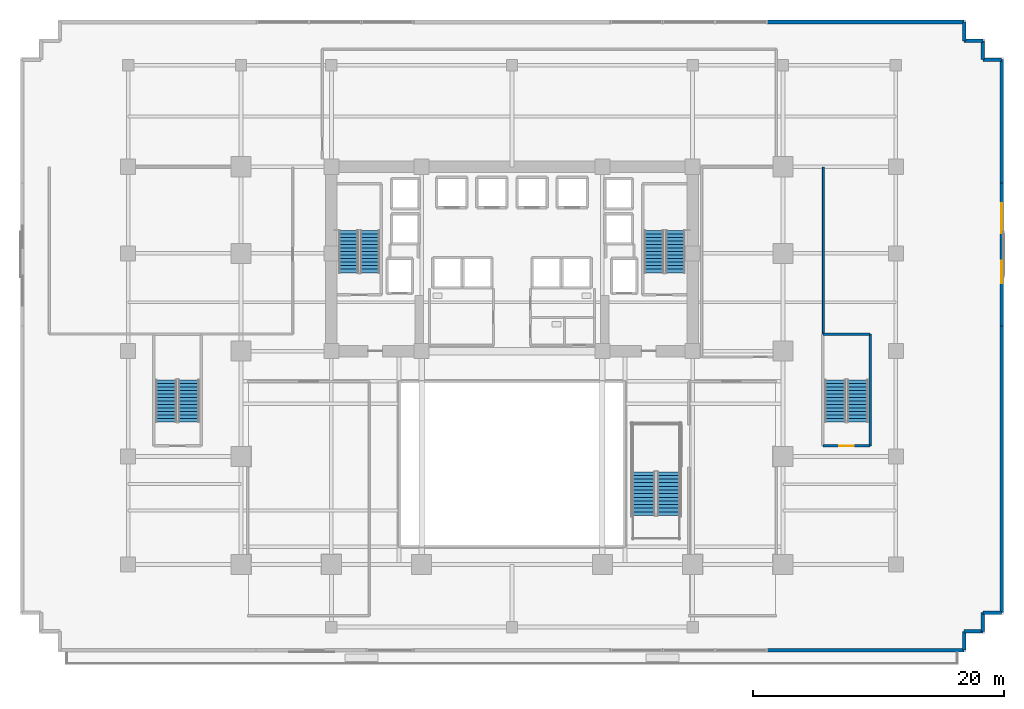
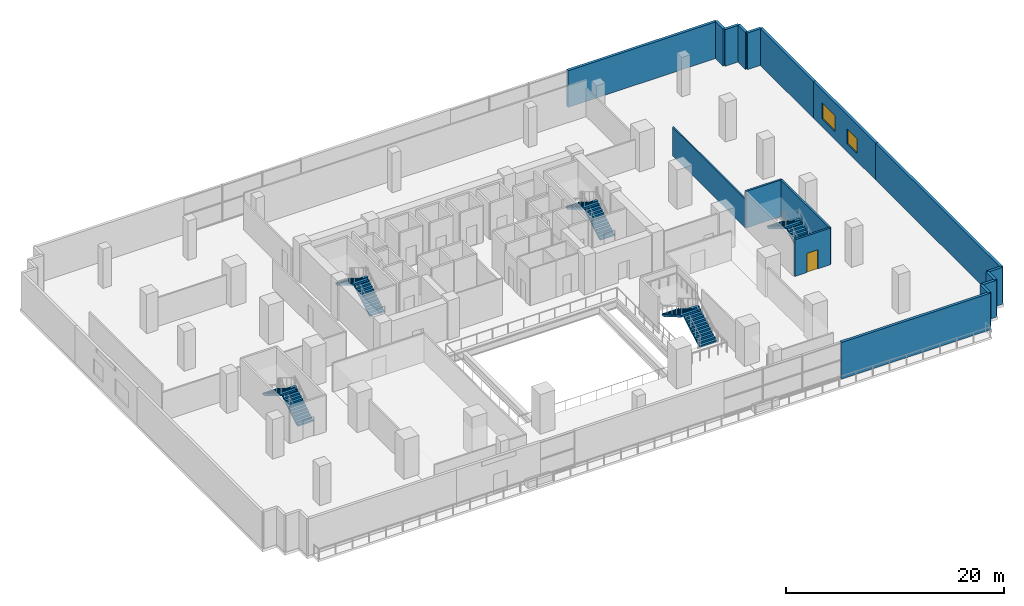
# One storey, part 15 of 21: 17 walls, 10 stair flights, 2 windows, 1 door, 3 openings, 5 elements without a shape of their own.
"""IFC4 building model written with IfcOpenShell, lengths in metres."""

from ifc_helpers import new_model, si_unit, direction, frame, frame_2d, origin, place, context, subcontext, project, spatial, polyline, rectangle, outline, extrude, source, transform, mapped, material, layer, layer_set, type_object, element, fill, aggregate, save


model = new_model("IFC4")

# Units and contexts
model_context = context("Model", 3, precision=1e-05, world=origin(), true_north=direction((0.0, 1.0)))
body_context = subcontext(model_context, "Body", "Model", "MODEL_VIEW")
ifc_project = project(units=[si_unit("LENGTHUNIT", "METRE"), si_unit("AREAUNIT", "SQUARE_METRE"), si_unit("VOLUMEUNIT", "CUBIC_METRE"), si_unit("PLANEANGLEUNIT", "RADIAN"), si_unit("MASSUNIT", "GRAM", prefix="KILO")], contexts=[model_context])

# Site, building, storey
site_placement = place(None, origin())
site = spatial("IfcSite", under=ifc_project, at=site_placement, CompositionType="ELEMENT")
building_placement = place(site_placement, origin())
building = spatial("IfcBuilding", under=site, at=building_placement, Name="Zarnakvel Exchange Tower", CompositionType="ELEMENT")
storey_placement = place(building_placement, frame((0.0, 0.0, 5.0)))
storey = spatial("IfcBuildingStorey", under=building, at=storey_placement, Name="L01", CompositionType="ELEMENT", Elevation=5.0)

# Wall, openings, windows
ifc_material_1 = material(Name="Precast concrete C40/50", Category="concrete")
ifc_layer_1 = layer(ifc_material_1, 0.280029296875)
ifc_layer_set_1 = layer_set([ifc_layer_1], Name="Precast concrete C40/50")
wall_type_1 = type_object("IfcWallType", Name="EW-01", PredefinedType="SOLIDWALL", material=ifc_layer_set_1)
wall_1_placement = place(storey_placement, frame((39.0400390625, 12.199951171875, 0.0), z_axis=(0.0, 0.0, 1.0), x_axis=(0.0, -1.0, 0.0)))
wall_1 = element("IfcWall", 1, at=wall_1_placement, inside=storey, type_object=wall_type_1, Name="L01 Exterior Precast Spandrel Wall EW-L01-EF (EW-01)", PredefinedType="SOLIDWALL", context=body_context, shape_type="SweptSolid", body=[
    extrude(rectangle(XDim=11.39990234375, YDim=0.280029296875, at=frame_2d((5.699951171875, 0.0))), origin(), (0.0, 0.0, 1.0), 4.10009765625),
])
opening_1_placement = place(wall_1_placement, frame((1.60009765625, 0.0, 0.89990234375)))
opening_1 = element("IfcOpeningElement", 2, at=opening_1_placement, cuts=wall_1, Name="Opening WN-01", PredefinedType="OPENING", context=body_context, shape_type="SweptSolid", body=[
    extrude(rectangle(XDim=2.39990234375, YDim=1.800048828125, at=frame_2d((1.199951171875, 0.89990234375))), frame((0.0, 0.14990234375, 0.0), z_axis=(0.0, -1.0, 0.0), x_axis=(1.0, 0.0, 0.0)), (0.0, 0.0, 1.0), 0.300048828125),
])
opening_2_placement = place(wall_1_placement, frame((6.199951171875, 0.0, 0.89990234375)))
opening_2 = element("IfcOpeningElement", 3, at=opening_2_placement, cuts=wall_1, Name="Opening WN-02", PredefinedType="OPENING", context=body_context, shape_type="SweptSolid", body=[
    extrude(rectangle(XDim=1.800048828125, YDim=1.64990234375, at=frame_2d((0.89990234375, 0.824951171875))), frame((0.0, 0.14990234375, 0.0), z_axis=(0.0, -1.0, 0.0), x_axis=(1.0, 0.0, 0.0)), (0.0, 0.0, 1.0), 0.300048828125),
])
ifc_material_2 = material(Name="Double Low-E Laminated Vision Glass", Category="glass")
window_type_1 = type_object("IfcWindowType", Name="WN-01", PartitioningType="SINGLE_PANEL", PredefinedType="WINDOW", material=ifc_material_2)
shared_shape_1 = source(origin(), body_context, "Body", "SweptSolid", [
    extrude(rectangle(XDim=2.39990234375, YDim=1.800048828125, at=frame_2d((1.199951171875, 0.89990234375))), frame((0.0, 0.030029296875, 0.0), z_axis=(0.0, -1.0, 0.0), x_axis=(1.0, 0.0, 0.0)), (0.0, 0.0, 1.0), 0.06005859375),
])
window_1_placement = place(opening_1_placement, origin())
window_1 = element("IfcWindow", 4, at=window_1_placement, inside=storey, type_object=window_type_1, Name="L01 East Flank Window 1", OverallHeight=1.800048828125, OverallWidth=2.39990234375, PartitioningType="SINGLE_PANEL", PredefinedType="WINDOW", context=body_context, shape_type="MappedRepresentation", body=[
    mapped(shared_shape_1, transform((0.0, 0.0, 0.0), x_axis=(1.0, 0.0, 0.0), y_axis=(0.0, 1.0, 0.0), z_axis=(0.0, 0.0, 1.0), scale=1.0)),
])
fill(opening_1, window_1)
window_type_2 = type_object("IfcWindowType", Name="WN-02", PartitioningType="SINGLE_PANEL", PredefinedType="WINDOW", material=ifc_material_2)
shared_shape_2 = source(origin(), body_context, "Body", "SweptSolid", [
    extrude(rectangle(XDim=1.800048828125, YDim=1.64990234375, at=frame_2d((0.89990234375, 0.824951171875))), frame((0.0, 0.030029296875, 0.0), z_axis=(0.0, -1.0, 0.0), x_axis=(1.0, 0.0, 0.0)), (0.0, 0.0, 1.0), 0.06005859375),
])
window_2_placement = place(opening_2_placement, origin())
window_2 = element("IfcWindow", 5, at=window_2_placement, inside=storey, type_object=window_type_2, Name="L01 East Flank Window 2", OverallHeight=1.64990234375, OverallWidth=1.800048828125, PartitioningType="SINGLE_PANEL", PredefinedType="WINDOW", context=body_context, shape_type="MappedRepresentation", body=[
    mapped(shared_shape_2, transform((0.0, 0.0, 0.0), x_axis=(1.0, 0.0, 0.0), y_axis=(0.0, 1.0, 0.0), z_axis=(0.0, 0.0, 1.0), scale=1.0)),
])
fill(opening_2, window_2)

# Walls
wall_2_placement = place(storey_placement, frame((36.0400390625, 25.0400390625, 0.0), z_axis=(0.0, 0.0, 1.0), x_axis=(-1.0, 0.0, 0.0)))
element("IfcWall", 6, at=wall_2_placement, inside=storey, type_object=wall_type_1, Name="L01 Exterior Precast Spandrel Wall EWC-L01-09 (EW-01)", PredefinedType="SOLIDWALL", context=body_context, shape_type="SweptSolid", body=[
    extrude(rectangle(XDim=15.735107421875, YDim=0.280029296875, at=frame_2d((7.86767578125, 0.0))), origin(), (0.0, 0.0, 1.0), 4.10009765625),
])
for number, where, z_axis, x_axis, name in (
    (7, (36.0400390625, 23.5400390625, 0.0), (0.0, 0.0, 1.0), (0.0, 1.0, 0.0), "L01 Exterior Precast Spandrel Wall EWC-L01-10 (EW-01)"),
    (8, (37.5400390625, 23.5400390625, 0.0), (0.0, 0.0, 1.0), (-1.0, 0.0, 0.0), "L01 Exterior Precast Spandrel Wall EWC-L01-11 (EW-01)"),
    (9, (37.5400390625, 22.0400390625, 0.0), (0.0, 0.0, 1.0), (0.0, 1.0, 0.0), "L01 Exterior Precast Spandrel Wall EWC-L01-12 (EW-01)"),
    (10, (39.0400390625, 22.0400390625, 0.0), (0.0, 0.0, 1.0), (-1.0, 0.0, 0.0), "L01 Exterior Precast Spandrel Wall EWC-L01-13 (EW-01)"),
):
    element("IfcWall", number, at=place(storey_placement, frame(where, z_axis=z_axis, x_axis=x_axis)), inside=storey, type_object=wall_type_1, Name=name, PredefinedType="SOLIDWALL", context=body_context, shape_type="SweptSolid", body=[
        extrude(rectangle(XDim=1.5, YDim=0.280029296875, at=frame_2d((0.75, 0.0))), origin(), (0.0, 0.0, 1.0), 4.10009765625),
    ])
wall_3_placement = place(storey_placement, frame((39.0400390625, 12.199951171875, 0.0), z_axis=(0.0, 0.0, 1.0), x_axis=(0.0, 1.0, 0.0)))
element("IfcWall", 11, at=wall_3_placement, inside=storey, type_object=wall_type_1, Name="L01 Exterior Precast Spandrel Wall EWC-L01-14 (EW-01)", PredefinedType="SOLIDWALL", context=body_context, shape_type="SweptSolid", body=[
    extrude(rectangle(XDim=9.840087890625, YDim=0.280029296875, at=frame_2d((4.919921875, 0.0))), origin(), (0.0, 0.0, 1.0), 4.10009765625),
])
wall_4_placement = place(storey_placement, frame((39.0400390625, -22.0400390625, 0.0), z_axis=(0.0, 0.0, 1.0), x_axis=(0.0, 1.0, 0.0)))
element("IfcWall", 12, at=wall_4_placement, inside=storey, type_object=wall_type_1, Name="L01 Exterior Precast Spandrel Wall EWC-L01-15 (EW-01)", PredefinedType="SOLIDWALL", context=body_context, shape_type="SweptSolid", body=[
    extrude(rectangle(XDim=22.840087890625, YDim=0.280029296875, at=frame_2d((11.419921875, 0.0))), origin(), (0.0, 0.0, 1.0), 4.10009765625),
])
for number, where, z_axis, x_axis, name in (
    (13, (37.5400390625, -22.0400390625, 0.0), (0.0, 0.0, 1.0), (1.0, 0.0, 0.0), "L01 Exterior Precast Spandrel Wall EWC-L01-16 (EW-01)"),
    (14, (37.5400390625, -23.5400390625, 0.0), (0.0, 0.0, 1.0), (0.0, 1.0, 0.0), "L01 Exterior Precast Spandrel Wall EWC-L01-17 (EW-01)"),
    (15, (36.0400390625, -23.5400390625, 0.0), (0.0, 0.0, 1.0), (1.0, 0.0, 0.0), "L01 Exterior Precast Spandrel Wall EWC-L01-18 (EW-01)"),
    (16, (36.0400390625, -25.0400390625, 0.0), (0.0, 0.0, 1.0), (0.0, 1.0, 0.0), "L01 Exterior Precast Spandrel Wall EWC-L01-19 (EW-01)"),
):
    element("IfcWall", number, at=place(storey_placement, frame(where, z_axis=z_axis, x_axis=x_axis)), inside=storey, type_object=wall_type_1, Name=name, PredefinedType="SOLIDWALL", context=body_context, shape_type="SweptSolid", body=[
        extrude(rectangle(XDim=1.5, YDim=0.280029296875, at=frame_2d((0.75, 0.0))), origin(), (0.0, 0.0, 1.0), 4.10009765625),
    ])
wall_5_placement = place(storey_placement, frame((20.304931640625, -25.0400390625, 0.0), z_axis=(0.0, 0.0, 1.0), x_axis=(1.0, 0.0, 0.0)))
element("IfcWall", 17, at=wall_5_placement, inside=storey, type_object=wall_type_1, Name="L01 Exterior Precast Spandrel Wall EWC-L01-20 (EW-01)", PredefinedType="SOLIDWALL", context=body_context, shape_type="SweptSolid", body=[
    extrude(rectangle(XDim=15.735107421875, YDim=0.280029296875, at=frame_2d((7.86767578125, 0.0))), origin(), (0.0, 0.0, 1.0), 4.10009765625),
])
ifc_material_3 = material(Name="Fire-Rated Gypsum Stud Partition", Category="gypsum")
ifc_layer_2 = layer(ifc_material_3, 0.14990234375)
ifc_layer_set_2 = layer_set([ifc_layer_2], Name="Fire-Rated Gypsum Stud Partition")
wall_type_2 = type_object("IfcWallType", Name="PT-01", PredefinedType="PARTITIONING", material=ifc_layer_set_2)
wall_6_placement = place(storey_placement, frame((24.820068359375, 13.47998046875, 0.0), z_axis=(0.0, 0.0, 1.0), x_axis=(0.0, -1.0, 0.0)))
element("IfcWall", 18, at=wall_6_placement, inside=storey, type_object=wall_type_2, Name="L01 Partition Wall PWALL-L01-047 (PT-01)", PredefinedType="PARTITIONING", context=body_context, shape_type="SweptSolid", body=[
    extrude(rectangle(XDim=13.320068359375, YDim=0.14990234375, at=frame_2d((6.66015625, 0.0))), origin(), (0.0, 0.0, 1.0), 3.18994140625),
])

# Wall, opening, door
ifc_material_4 = material(Name="Concrete C40/50", Category="concrete")
ifc_layer_3 = layer(ifc_material_4, 0.199951171875)
ifc_layer_set_3 = layer_set([ifc_layer_3], Name="Concrete C40/50")
wall_type_3 = type_object("IfcWallType", Name="SW-02", PredefinedType="SOLIDWALL", material=ifc_layer_set_3)
wall_7_placement = place(storey_placement, frame((28.56005859375, -8.760009765625, 0.0), z_axis=(0.0, 0.0, 1.0), x_axis=(-1.0, 0.0, 0.0)))
wall_7 = element("IfcWall", 19, at=wall_7_placement, inside=storey, type_object=wall_type_3, Name="L01 Stairwell Core Wall PWALL-L01-026 (SW-02)", PredefinedType="SOLIDWALL", context=body_context, shape_type="SweptSolid", body=[
    extrude(rectangle(XDim=3.77001953125, YDim=0.199951171875, at=frame_2d((1.885009765625, 0.0))), origin(), (0.0, 0.0, 1.0), 4.10009765625),
])
opening_3_placement = place(wall_7_placement, frame((1.3349609375, 0.0, 0.0)))
opening_3 = element("IfcOpeningElement", 20, at=opening_3_placement, cuts=wall_7, Name="Opening D-L01-10", PredefinedType="OPENING", context=body_context, shape_type="SweptSolid", body=[
    extrude(rectangle(XDim=1.14990234375, YDim=2.14990234375, at=frame_2d((0.574951171875, 1.074951171875))), frame((0.0, 0.10986328125, 0.0), z_axis=(0.0, -1.0, 0.0), x_axis=(1.0, 0.0, 0.0)), (0.0, 0.0, 1.0), 0.219970703125),
])
ifc_material_5 = material(Name="Painted Galvanised Steel S355", Category="steel")
door_type = type_object("IfcDoorType", Name="DT-04", OperationType="NOTDEFINED", PredefinedType="DOOR", material=ifc_material_5)
shared_shape_3 = source(origin(), body_context, "Body", "SweptSolid", [
    extrude(rectangle(XDim=1.14990234375, YDim=2.14990234375, at=frame_2d((0.574951171875, 1.074951171875))), frame((0.0, 0.02490234375, 0.0), z_axis=(0.0, -1.0, 0.0), x_axis=(1.0, 0.0, 0.0)), (0.0, 0.0, 1.0), 0.050048828125),
])
door_placement = place(opening_3_placement, origin())
door = element("IfcDoor", 21, at=door_placement, inside=storey, type_object=door_type, Name="L01 Stairwell ST-04 Door D-L01-10", OperationType="SINGLE_SWING_LEFT", OverallHeight=2.14990234375, OverallWidth=1.14990234375, PredefinedType="DOOR", context=body_context, shape_type="MappedRepresentation", body=[
    mapped(shared_shape_3, transform((0.0, 0.0, 0.0), x_axis=(1.0, 0.0, 0.0), y_axis=(0.0, 1.0, 0.0), z_axis=(0.0, 0.0, 1.0), scale=1.0)),
])
fill(opening_3, door)

# Walls
wall_8_placement = place(storey_placement, frame((24.7900390625, 0.159912109375, 0.0), z_axis=(0.0, 0.0, 1.0), x_axis=(1.0, 0.0, 0.0)))
element("IfcWall", 22, at=wall_8_placement, inside=storey, type_object=wall_type_3, Name="L01 Stairwell Core Wall PWALL-L01-027 (SW-02)", PredefinedType="SOLIDWALL", context=body_context, shape_type="SweptSolid", body=[
    extrude(rectangle(XDim=3.77001953125, YDim=0.199951171875, at=frame_2d((1.885009765625, 0.0))), origin(), (0.0, 0.0, 1.0), 4.10009765625),
])
wall_9_placement = place(storey_placement, frame((28.56005859375, 0.159912109375, 0.0), z_axis=(0.0, 0.0, 1.0), x_axis=(0.0, -1.0, 0.0)))
element("IfcWall", 23, at=wall_9_placement, inside=storey, type_object=wall_type_3, Name="L01 Stairwell Core Wall PWALL-L01-029 (SW-02)", PredefinedType="SOLIDWALL", context=body_context, shape_type="SweptSolid", body=[
    extrude(rectangle(XDim=8.919921875, YDim=0.199951171875, at=frame_2d((4.4599609375, 0.0))), origin(), (0.0, 0.0, 1.0), 4.10009765625),
])

# Stair, stair flights
stair_type_1 = type_object("IfcStairType", Name="STR-01", PredefinedType="HALF_TURN_STAIR", material=ifc_material_4)
stair_1_placement = place(storey_placement, origin())
stair_1 = element("IfcStair", 24, at=stair_1_placement, inside=storey, type_object=stair_type_1, Name="L01 Protected Core Exit Stair ST-01", PredefinedType="HALF_TURN_STAIR")
stair_flight_type_1 = type_object("IfcStairFlightType", Name="FLT-01", PredefinedType="STRAIGHT", material=ifc_material_4)
stair_flight_1_placement = place(storey_placement, frame((-11.31494140625, 5.050048828125, 0.0), z_axis=(0.0, 0.0, 1.0), x_axis=(0.0, 1.0, 0.0)))
stair_flight_1 = element("IfcStairFlight", 25, at=stair_flight_1_placement, type_object=stair_flight_type_1, Name="ST-01 flight 1", NumberOfRisers=13, NumberOfTreads=12, PredefinedType="STRAIGHT", RiserHeight=0.169230769, TreadLength=0.28, context=body_context, shape_type="SweptSolid", body=[
    extrude(outline(polyline([(0.0, 0.0), (0.0, 0.169189453125), (0.280029296875, 0.169189453125), (0.280029296875, 0.33837890625), (0.56005859375, 0.33837890625), (0.56005859375, 0.5078125), (0.840087890625, 0.5078125), (0.840087890625, 0.677001953125), (1.1201171875, 0.677001953125), (1.1201171875, 0.84619140625), (1.39990234375, 0.84619140625), (1.39990234375, 1.015380859375), (1.679931640625, 1.015380859375), (1.679931640625, 1.1845703125), (1.9599609375, 1.1845703125), (1.9599609375, 1.353759765625), (2.239990234375, 1.353759765625), (2.239990234375, 1.523193359375), (2.52001953125, 1.523193359375), (2.52001953125, 1.6923828125), (2.800048828125, 1.6923828125), (2.800048828125, 1.861572265625), (3.080078125, 1.861572265625), (3.080078125, 2.03076171875), (3.360107421875, 2.03076171875), (3.360107421875, 2.199951171875), (3.360107421875, 1.855712890625), (0.289794921875, 0.0), (0.0, 0.0)])), frame((0.0, 0.77490234375, 0.0), z_axis=(0.0, -1.0, 0.0), x_axis=(1.0, 0.0, 0.0)), (0.0, 0.0, 1.0), 1.550048828125),
])
stair_flight_2_placement = place(storey_placement, frame((-13.02490234375, 8.409912109375, 2.199951171875), z_axis=(0.0, 0.0, 1.0), x_axis=(0.0, -1.0, 0.0)))
stair_flight_2 = element("IfcStairFlight", 26, at=stair_flight_2_placement, type_object=stair_flight_type_1, Name="ST-01 flight 2", NumberOfRisers=13, NumberOfTreads=12, PredefinedType="STRAIGHT", RiserHeight=0.169230769, TreadLength=0.28, context=body_context, shape_type="SweptSolid", body=[
    extrude(outline(polyline([(0.0, 0.0), (0.0, 0.169189453125), (0.280029296875, 0.169189453125), (0.280029296875, 0.33837890625), (0.56005859375, 0.33837890625), (0.56005859375, 0.5078125), (0.840087890625, 0.5078125), (0.840087890625, 0.677001953125), (1.1201171875, 0.677001953125), (1.1201171875, 0.84619140625), (1.39990234375, 0.84619140625), (1.39990234375, 1.015380859375), (1.679931640625, 1.015380859375), (1.679931640625, 1.1845703125), (1.9599609375, 1.1845703125), (1.9599609375, 1.353759765625), (2.239990234375, 1.353759765625), (2.239990234375, 1.523193359375), (2.52001953125, 1.523193359375), (2.52001953125, 1.6923828125), (2.800048828125, 1.6923828125), (2.800048828125, 1.861572265625), (3.080078125, 1.861572265625), (3.080078125, 2.03076171875), (3.360107421875, 2.03076171875), (3.360107421875, 2.199951171875), (3.360107421875, 1.855712890625), (0.289794921875, 0.0), (0.0, 0.0)])), frame((0.0, 0.77490234375, 0.0), z_axis=(0.0, -1.0, 0.0), x_axis=(1.0, 0.0, 0.0)), (0.0, 0.0, 1.0), 1.550048828125),
])
aggregate(stair_1, [stair_flight_1, stair_flight_2])

stair_2_placement = place(storey_placement, origin())
stair_2 = element("IfcStair", 27, at=stair_2_placement, inside=storey, type_object=stair_type_1, Name="L01 Protected Core Exit Stair ST-02", PredefinedType="HALF_TURN_STAIR")
stair_flight_3_placement = place(storey_placement, frame((13.02490234375, 5.050048828125, 0.0), z_axis=(0.0, 0.0, 1.0), x_axis=(0.0, 1.0, 0.0)))
stair_flight_3 = element("IfcStairFlight", 28, at=stair_flight_3_placement, type_object=stair_flight_type_1, Name="ST-02 flight 1", NumberOfRisers=13, NumberOfTreads=12, PredefinedType="STRAIGHT", RiserHeight=0.169230769, TreadLength=0.28, context=body_context, shape_type="SweptSolid", body=[
    extrude(outline(polyline([(0.0, 0.0), (0.0, 0.169189453125), (0.280029296875, 0.169189453125), (0.280029296875, 0.33837890625), (0.56005859375, 0.33837890625), (0.56005859375, 0.5078125), (0.840087890625, 0.5078125), (0.840087890625, 0.677001953125), (1.1201171875, 0.677001953125), (1.1201171875, 0.84619140625), (1.39990234375, 0.84619140625), (1.39990234375, 1.015380859375), (1.679931640625, 1.015380859375), (1.679931640625, 1.1845703125), (1.9599609375, 1.1845703125), (1.9599609375, 1.353759765625), (2.239990234375, 1.353759765625), (2.239990234375, 1.523193359375), (2.52001953125, 1.523193359375), (2.52001953125, 1.6923828125), (2.800048828125, 1.6923828125), (2.800048828125, 1.861572265625), (3.080078125, 1.861572265625), (3.080078125, 2.03076171875), (3.360107421875, 2.03076171875), (3.360107421875, 2.199951171875), (3.360107421875, 1.855712890625), (0.289794921875, 0.0), (0.0, 0.0)])), frame((0.0, 0.77490234375, 0.0), z_axis=(0.0, -1.0, 0.0), x_axis=(1.0, 0.0, 0.0)), (0.0, 0.0, 1.0), 1.550048828125),
])
stair_flight_4_placement = place(storey_placement, frame((11.31494140625, 8.409912109375, 2.199951171875), z_axis=(0.0, 0.0, 1.0), x_axis=(0.0, -1.0, 0.0)))
stair_flight_4 = element("IfcStairFlight", 29, at=stair_flight_4_placement, type_object=stair_flight_type_1, Name="ST-02 flight 2", NumberOfRisers=13, NumberOfTreads=12, PredefinedType="STRAIGHT", RiserHeight=0.169230769, TreadLength=0.28, context=body_context, shape_type="SweptSolid", body=[
    extrude(outline(polyline([(0.0, 0.0), (0.0, 0.169189453125), (0.280029296875, 0.169189453125), (0.280029296875, 0.33837890625), (0.56005859375, 0.33837890625), (0.56005859375, 0.5078125), (0.840087890625, 0.5078125), (0.840087890625, 0.677001953125), (1.1201171875, 0.677001953125), (1.1201171875, 0.84619140625), (1.39990234375, 0.84619140625), (1.39990234375, 1.015380859375), (1.679931640625, 1.015380859375), (1.679931640625, 1.1845703125), (1.9599609375, 1.1845703125), (1.9599609375, 1.353759765625), (2.239990234375, 1.353759765625), (2.239990234375, 1.523193359375), (2.52001953125, 1.523193359375), (2.52001953125, 1.6923828125), (2.800048828125, 1.6923828125), (2.800048828125, 1.861572265625), (3.080078125, 1.861572265625), (3.080078125, 2.03076171875), (3.360107421875, 2.03076171875), (3.360107421875, 2.199951171875), (3.360107421875, 1.855712890625), (0.289794921875, 0.0), (0.0, 0.0)])), frame((0.0, 0.77490234375, 0.0), z_axis=(0.0, -1.0, 0.0), x_axis=(1.0, 0.0, 0.0)), (0.0, 0.0, 1.0), 1.550048828125),
])
aggregate(stair_2, [stair_flight_3, stair_flight_4])

stair_type_2 = type_object("IfcStairType", Name="STR-02", PredefinedType="HALF_TURN_STAIR", material=ifc_material_4)
stair_3_placement = place(storey_placement, origin())
stair_3 = element("IfcStair", 30, at=stair_3_placement, inside=storey, type_object=stair_type_2, Name="L01 Podium West Exit Stair ST-03", PredefinedType="HALF_TURN_STAIR")
stair_flight_type_2 = type_object("IfcStairFlightType", Name="FLT-02", PredefinedType="STRAIGHT", material=ifc_material_4)
stair_flight_5_placement = place(storey_placement, frame((-25.764892578125, -6.85009765625, 0.0), z_axis=(0.0, 0.0, 1.0), x_axis=(0.0, 1.0, 0.0)))
stair_flight_5 = element("IfcStairFlight", 31, at=stair_flight_5_placement, type_object=stair_flight_type_2, Name="ST-03 flight 1", NumberOfRisers=13, NumberOfTreads=12, PredefinedType="STRAIGHT", RiserHeight=0.169230769, TreadLength=0.28, context=body_context, shape_type="SweptSolid", body=[
    extrude(outline(polyline([(0.0, 0.0), (0.0, 0.169189453125), (0.280029296875, 0.169189453125), (0.280029296875, 0.33837890625), (0.56005859375, 0.33837890625), (0.56005859375, 0.5078125), (0.840087890625, 0.5078125), (0.840087890625, 0.677001953125), (1.1201171875, 0.677001953125), (1.1201171875, 0.84619140625), (1.39990234375, 0.84619140625), (1.39990234375, 1.015380859375), (1.679931640625, 1.015380859375), (1.679931640625, 1.1845703125), (1.9599609375, 1.1845703125), (1.9599609375, 1.353759765625), (2.239990234375, 1.353759765625), (2.239990234375, 1.523193359375), (2.52001953125, 1.523193359375), (2.52001953125, 1.6923828125), (2.800048828125, 1.6923828125), (2.800048828125, 1.861572265625), (3.080078125, 1.861572265625), (3.080078125, 2.03076171875), (3.360107421875, 2.03076171875), (3.360107421875, 2.199951171875), (3.360107421875, 1.855712890625), (0.289794921875, 0.0), (0.0, 0.0)])), frame((0.0, 0.824951171875, 0.0), z_axis=(0.0, -1.0, 0.0), x_axis=(1.0, 0.0, 0.0)), (0.0, 0.0, 1.0), 1.64990234375),
])
stair_flight_6_placement = place(storey_placement, frame((-27.574951171875, -3.489990234375, 2.199951171875), z_axis=(0.0, 0.0, 1.0), x_axis=(0.0, -1.0, 0.0)))
stair_flight_6 = element("IfcStairFlight", 32, at=stair_flight_6_placement, type_object=stair_flight_type_2, Name="ST-03 flight 2", NumberOfRisers=13, NumberOfTreads=12, PredefinedType="STRAIGHT", RiserHeight=0.169230769, TreadLength=0.28, context=body_context, shape_type="SweptSolid", body=[
    extrude(outline(polyline([(0.0, 0.0), (0.0, 0.169189453125), (0.280029296875, 0.169189453125), (0.280029296875, 0.33837890625), (0.56005859375, 0.33837890625), (0.56005859375, 0.5078125), (0.840087890625, 0.5078125), (0.840087890625, 0.677001953125), (1.1201171875, 0.677001953125), (1.1201171875, 0.84619140625), (1.39990234375, 0.84619140625), (1.39990234375, 1.015380859375), (1.679931640625, 1.015380859375), (1.679931640625, 1.1845703125), (1.9599609375, 1.1845703125), (1.9599609375, 1.353759765625), (2.239990234375, 1.353759765625), (2.239990234375, 1.523193359375), (2.52001953125, 1.523193359375), (2.52001953125, 1.6923828125), (2.800048828125, 1.6923828125), (2.800048828125, 1.861572265625), (3.080078125, 1.861572265625), (3.080078125, 2.03076171875), (3.360107421875, 2.03076171875), (3.360107421875, 2.199951171875), (3.360107421875, 1.855712890625), (0.289794921875, 0.0), (0.0, 0.0)])), frame((0.0, 0.824951171875, 0.0), z_axis=(0.0, -1.0, 0.0), x_axis=(1.0, 0.0, 0.0)), (0.0, 0.0, 1.0), 1.64990234375),
])
aggregate(stair_3, [stair_flight_5, stair_flight_6])

stair_4_placement = place(storey_placement, origin())
stair_4 = element("IfcStair", 33, at=stair_4_placement, inside=storey, type_object=stair_type_2, Name="L01 Podium East Exit Stair ST-04", PredefinedType="HALF_TURN_STAIR")
stair_flight_7_placement = place(storey_placement, frame((27.574951171875, -6.85009765625, 0.0), z_axis=(0.0, 0.0, 1.0), x_axis=(0.0, 1.0, 0.0)))
stair_flight_7 = element("IfcStairFlight", 34, at=stair_flight_7_placement, type_object=stair_flight_type_2, Name="ST-04 flight 1", NumberOfRisers=13, NumberOfTreads=12, PredefinedType="STRAIGHT", RiserHeight=0.169230769, TreadLength=0.28, context=body_context, shape_type="SweptSolid", body=[
    extrude(outline(polyline([(0.0, 0.0), (0.0, 0.169189453125), (0.280029296875, 0.169189453125), (0.280029296875, 0.33837890625), (0.56005859375, 0.33837890625), (0.56005859375, 0.5078125), (0.840087890625, 0.5078125), (0.840087890625, 0.677001953125), (1.1201171875, 0.677001953125), (1.1201171875, 0.84619140625), (1.39990234375, 0.84619140625), (1.39990234375, 1.015380859375), (1.679931640625, 1.015380859375), (1.679931640625, 1.1845703125), (1.9599609375, 1.1845703125), (1.9599609375, 1.353759765625), (2.239990234375, 1.353759765625), (2.239990234375, 1.523193359375), (2.52001953125, 1.523193359375), (2.52001953125, 1.6923828125), (2.800048828125, 1.6923828125), (2.800048828125, 1.861572265625), (3.080078125, 1.861572265625), (3.080078125, 2.03076171875), (3.360107421875, 2.03076171875), (3.360107421875, 2.199951171875), (3.360107421875, 1.855712890625), (0.289794921875, 0.0), (0.0, 0.0)])), frame((0.0, 0.824951171875, 0.0), z_axis=(0.0, -1.0, 0.0), x_axis=(1.0, 0.0, 0.0)), (0.0, 0.0, 1.0), 1.64990234375),
])
stair_flight_8_placement = place(storey_placement, frame((25.764892578125, -3.489990234375, 2.199951171875), z_axis=(0.0, 0.0, 1.0), x_axis=(0.0, -1.0, 0.0)))
stair_flight_8 = element("IfcStairFlight", 35, at=stair_flight_8_placement, type_object=stair_flight_type_2, Name="ST-04 flight 2", NumberOfRisers=13, NumberOfTreads=12, PredefinedType="STRAIGHT", RiserHeight=0.169230769, TreadLength=0.28, context=body_context, shape_type="SweptSolid", body=[
    extrude(outline(polyline([(0.0, 0.0), (0.0, 0.169189453125), (0.280029296875, 0.169189453125), (0.280029296875, 0.33837890625), (0.56005859375, 0.33837890625), (0.56005859375, 0.5078125), (0.840087890625, 0.5078125), (0.840087890625, 0.677001953125), (1.1201171875, 0.677001953125), (1.1201171875, 0.84619140625), (1.39990234375, 0.84619140625), (1.39990234375, 1.015380859375), (1.679931640625, 1.015380859375), (1.679931640625, 1.1845703125), (1.9599609375, 1.1845703125), (1.9599609375, 1.353759765625), (2.239990234375, 1.353759765625), (2.239990234375, 1.523193359375), (2.52001953125, 1.523193359375), (2.52001953125, 1.6923828125), (2.800048828125, 1.6923828125), (2.800048828125, 1.861572265625), (3.080078125, 1.861572265625), (3.080078125, 2.03076171875), (3.360107421875, 2.03076171875), (3.360107421875, 2.199951171875), (3.360107421875, 1.855712890625), (0.289794921875, 0.0), (0.0, 0.0)])), frame((0.0, 0.824951171875, 0.0), z_axis=(0.0, -1.0, 0.0), x_axis=(1.0, 0.0, 0.0)), (0.0, 0.0, 1.0), 1.64990234375),
])
aggregate(stair_4, [stair_flight_7, stair_flight_8])

stair_type_3 = type_object("IfcStairType", Name="STR-04", PredefinedType="HALF_TURN_STAIR", material=ifc_material_4)
stair_5_placement = place(storey_placement, origin())
stair_5 = element("IfcStair", 36, at=stair_5_placement, inside=storey, type_object=stair_type_3, Name="L01 Exchange Concourse Atrium Feature Stair ST-06", PredefinedType="HALF_TURN_STAIR")
stair_flight_type_3 = type_object("IfcStairFlightType", Name="FLT-04", PredefinedType="STRAIGHT", material=ifc_material_4)
stair_flight_9_placement = place(storey_placement, frame((12.5, -14.300048828125, 0.0), z_axis=(0.0, 0.0, 1.0), x_axis=(0.0, 1.0, 0.0)))
stair_flight_9 = element("IfcStairFlight", 37, at=stair_flight_9_placement, type_object=stair_flight_type_3, Name="ST-06 flight 1", NumberOfRisers=13, NumberOfTreads=12, PredefinedType="STRAIGHT", RiserHeight=0.169230769, TreadLength=0.29, context=body_context, shape_type="SweptSolid", body=[
    extrude(outline(polyline([(0.0, 0.0), (0.0, 0.169189453125), (0.2900390625, 0.169189453125), (0.2900390625, 0.33837890625), (0.580078125, 0.33837890625), (0.580078125, 0.5078125), (0.8701171875, 0.5078125), (0.8701171875, 0.677001953125), (1.159912109375, 0.677001953125), (1.159912109375, 0.84619140625), (1.449951171875, 0.84619140625), (1.449951171875, 1.015380859375), (1.739990234375, 1.015380859375), (1.739990234375, 1.1845703125), (2.030029296875, 1.1845703125), (2.030029296875, 1.353759765625), (2.320068359375, 1.353759765625), (2.320068359375, 1.523193359375), (2.610107421875, 1.523193359375), (2.610107421875, 1.6923828125), (2.89990234375, 1.6923828125), (2.89990234375, 1.861572265625), (3.18994140625, 1.861572265625), (3.18994140625, 2.03076171875), (3.47998046875, 2.03076171875), (3.47998046875, 2.199951171875), (3.47998046875, 1.857177734375), (0.29736328125, 0.0), (0.0, 0.0)])), frame((0.0, 0.89990234375, 0.0), z_axis=(0.0, -1.0, 0.0), x_axis=(1.0, 0.0, 0.0)), (0.0, 0.0, 1.0), 1.800048828125),
])
stair_flight_10_placement = place(storey_placement, frame((10.5, -10.820068359375, 2.199951171875), z_axis=(0.0, 0.0, 1.0), x_axis=(0.0, -1.0, 0.0)))
stair_flight_10 = element("IfcStairFlight", 38, at=stair_flight_10_placement, type_object=stair_flight_type_3, Name="ST-06 flight 2", NumberOfRisers=13, NumberOfTreads=12, PredefinedType="STRAIGHT", RiserHeight=0.169230769, TreadLength=0.29, context=body_context, shape_type="SweptSolid", body=[
    extrude(outline(polyline([(0.0, 0.0), (0.0, 0.169189453125), (0.2900390625, 0.169189453125), (0.2900390625, 0.33837890625), (0.580078125, 0.33837890625), (0.580078125, 0.5078125), (0.8701171875, 0.5078125), (0.8701171875, 0.677001953125), (1.159912109375, 0.677001953125), (1.159912109375, 0.84619140625), (1.449951171875, 0.84619140625), (1.449951171875, 1.015380859375), (1.739990234375, 1.015380859375), (1.739990234375, 1.1845703125), (2.030029296875, 1.1845703125), (2.030029296875, 1.353759765625), (2.320068359375, 1.353759765625), (2.320068359375, 1.523193359375), (2.610107421875, 1.523193359375), (2.610107421875, 1.6923828125), (2.89990234375, 1.6923828125), (2.89990234375, 1.861572265625), (3.18994140625, 1.861572265625), (3.18994140625, 2.03076171875), (3.47998046875, 2.03076171875), (3.47998046875, 2.199951171875), (3.47998046875, 1.857177734375), (0.29736328125, 0.0), (0.0, 0.0)])), frame((0.0, 0.89990234375, 0.0), z_axis=(0.0, -1.0, 0.0), x_axis=(1.0, 0.0, 0.0)), (0.0, 0.0, 1.0), 1.800048828125),
])
aggregate(stair_5, [stair_flight_9, stair_flight_10])

save(model, "model.ifc")
